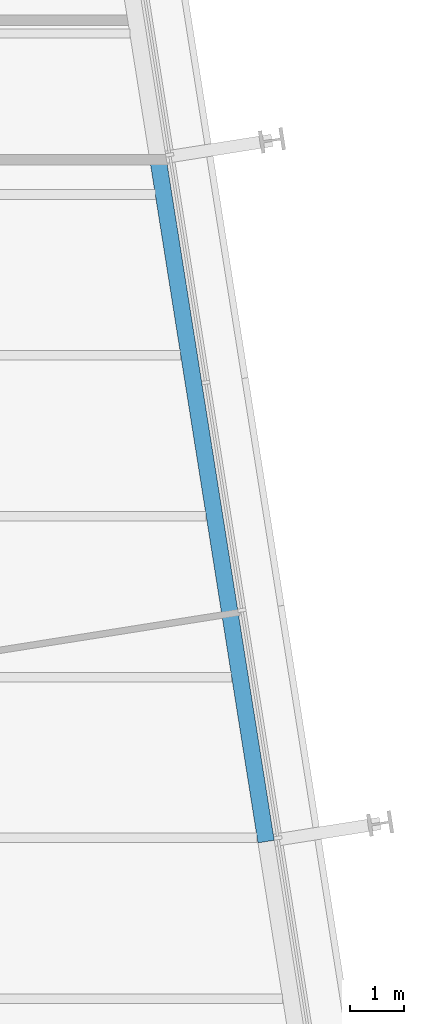
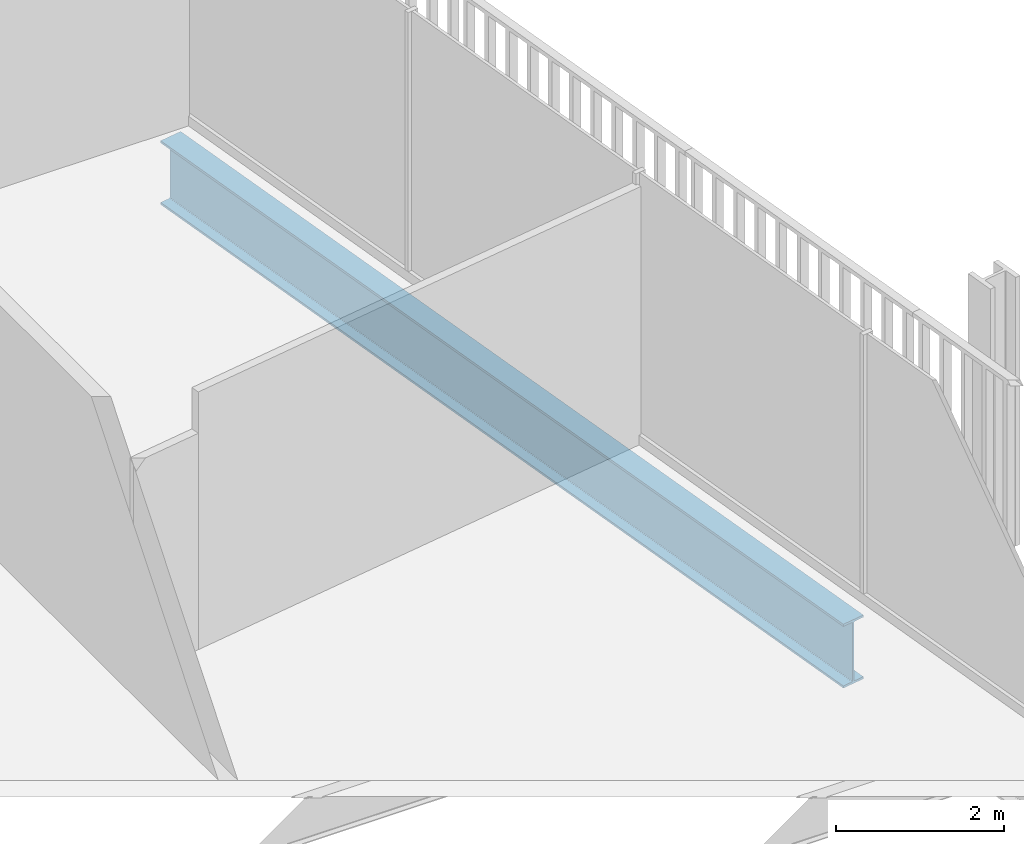
# One storey, part 9 of 21: 1 beam.
"""IFC4 building model written with IfcOpenShell, lengths in metres."""

from ifc_helpers import new_model, si_unit, direction, frame, origin, origin_2d, place, context, subcontext, project, spatial, i_section, extrude, material, material_profile, profile_set, type_object, element, save


model = new_model("IFC4")

# Units and contexts
model_context = context("Model", 3, precision=1e-05, world=origin(), true_north=direction((0.0, 1.0)))
body_context = subcontext(model_context, "Body", "Model", "MODEL_VIEW")
ifc_project = project(units=[si_unit("LENGTHUNIT", "METRE"), si_unit("AREAUNIT", "SQUARE_METRE"), si_unit("VOLUMEUNIT", "CUBIC_METRE"), si_unit("PLANEANGLEUNIT", "RADIAN"), si_unit("MASSUNIT", "GRAM", prefix="KILO")], contexts=[model_context])

# Site, building, storey
site_placement = place(None, origin())
site = spatial("IfcSite", under=ifc_project, at=site_placement, CompositionType="ELEMENT")
building_placement = place(site_placement, origin())
building = spatial("IfcBuilding", under=site, at=building_placement, Name="Millrace Tower", CompositionType="ELEMENT")
storey_placement = place(building_placement, frame((0.0, 0.0, 183.89990234375)))
storey = spatial("IfcBuildingStorey", under=building, at=storey_placement, Name="L41", CompositionType="ELEMENT", Elevation=183.89990234375)

# Beam
ifc_material = material(Name="Steel ASTM A992 Grade 50", Category="steel")
ifc_material_profile = material_profile(ifc_material, i_section(OverallWidth=0.307373046875, OverallDepth=0.927001953125, WebThickness=0.01953125, FlangeThickness=0.031982421875, FilletRadius=0.01904296875, at=origin_2d()))
ifc_profile_set = profile_set([ifc_material_profile], Name="Steel ASTM A992 Grade 50")
beam_type = type_object("IfcBeamType", Name="Ring beam medium span W36x194", PredefinedType="SPANDREL", material=ifc_profile_set)
beam_placement = place(storey_placement, frame((23.25, 9.6728515625, -0.62353515625), z_axis=(0.15642030113, -0.987690583834, 0.0), x_axis=(0.987690583834, 0.15642030113, 0.0)))
element("IfcBeam", 1, at=beam_placement, inside=storey, type_object=beam_type, Name="RNG-C-L41-S1-10", PredefinedType="SPANDREL", context=body_context, shape_type="SweptSolid", body=[
    extrude(i_section(OverallWidth=0.307373046875, OverallDepth=0.927001953125, WebThickness=0.01953125, FlangeThickness=0.031982421875, FilletRadius=0.01904296875, at=origin_2d()), origin(), (0.0, 0.0, 1.0), 12.89990234375),
])

save(model, "model.ifc")
